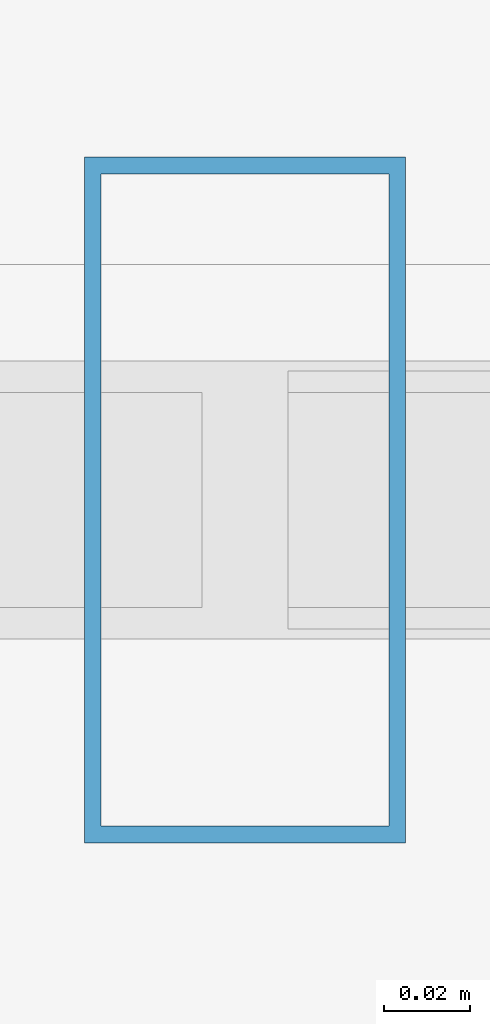
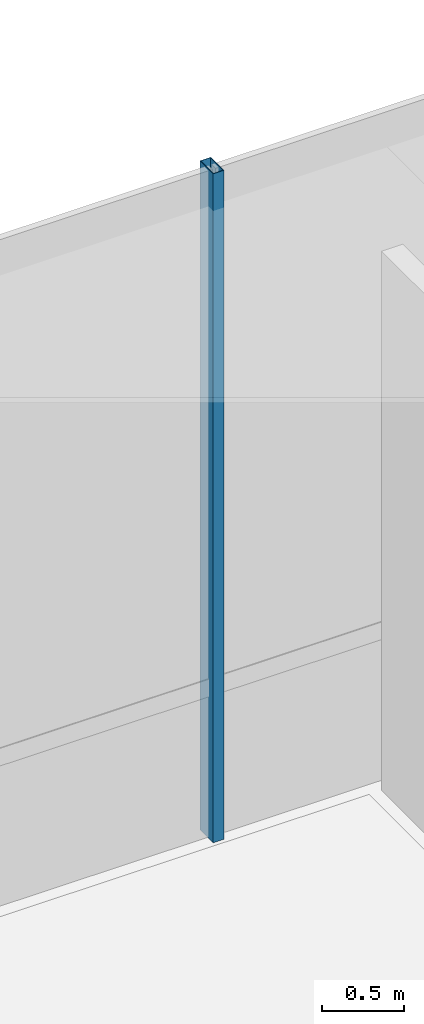
# One storey, part 16 of 41: 1 member, 1 element without a shape of its own.
"""IFC4 building model written with IfcOpenShell, lengths in metres."""

from ifc_helpers import new_model, si_unit, direction, frame, origin, origin_2d, place, context, subcontext, project, spatial, hollow_rectangle, extrude, source, transform, mapped, material, material_profile, profile_set, type_object, element, aggregate, save


model = new_model("IFC4")

# Units and contexts
model_context = context("Model", 3, precision=1e-05, world=origin(), true_north=direction((0.0, 1.0)))
body_context = subcontext(model_context, "Body", "Model", "MODEL_VIEW")
ifc_project = project(units=[si_unit("LENGTHUNIT", "METRE"), si_unit("AREAUNIT", "SQUARE_METRE"), si_unit("VOLUMEUNIT", "CUBIC_METRE"), si_unit("PLANEANGLEUNIT", "RADIAN"), si_unit("MASSUNIT", "GRAM", prefix="KILO")], contexts=[model_context])

# Site, building, storey
site_placement = place(None, origin())
site = spatial("IfcSite", under=ifc_project, at=site_placement, CompositionType="ELEMENT")
building_placement = place(site_placement, origin())
building = spatial("IfcBuilding", under=site, at=building_placement, Name="Valdorenza Pilgrim Sanctuary Tower", CompositionType="ELEMENT")
storey_placement = place(building_placement, frame((0.0, 0.0, 20.800048828125)))
storey = spatial("IfcBuildingStorey", under=building, at=storey_placement, Name="L04", CompositionType="ELEMENT", Elevation=20.800048828125)

# Curtain wall, member
ifc_material_1 = material(Name="Curtain-wall IGU glazing", Category="glass")
curtain_wall_type = type_object("IfcCurtainWallType", Name="CW-SYS-01", PredefinedType="NOTDEFINED", material=ifc_material_1)
curtain_wall_placement = place(storey_placement, origin())
curtain_wall = element("IfcCurtainWall", 1, at=curtain_wall_placement, inside=storey, type_object=curtain_wall_type, Name="L04 Curtain Wall CW-POD-L04-NN", PredefinedType="NOTDEFINED")
ifc_material_2 = material(Name="Anodised aluminium AW-6060", Category="aluminium")
ifc_material_profile = material_profile(ifc_material_2, hollow_rectangle(XDim=0.074951171875, YDim=0.159912109375, WallThickness=0.00390625, at=origin_2d()), Name="ALU-M 160x75x4")
ifc_profile_set = profile_set([ifc_material_profile], Name="Anodised aluminium AW-6060")
member_type = type_object("IfcMemberType", Name="CW-MUL-01", PredefinedType="MULLION", material=ifc_profile_set)
shared_shape = source(origin(), body_context, "Body", "SweptSolid", [
    extrude(hollow_rectangle(XDim=0.074951171875, YDim=0.159912109375, WallThickness=0.00390625, at=origin_2d()), origin(), (0.0, 0.0, 1.0), 4.9599609375),
])
member_placement = place(storey_placement, frame((0.0, 22.85009765625, 0.0), z_axis=(0.0, 0.0, 1.0), x_axis=(1.0, 0.0, 0.0)))
member = element("IfcMember", 2, at=member_placement, type_object=member_type, Name="CW-POD-L04-NN Mullion 3", PredefinedType="MULLION", context=body_context, shape_type="MappedRepresentation", body=[
    mapped(shared_shape, transform((0.0, 0.0, 0.0), x_axis=(1.0, 0.0, 0.0), y_axis=(0.0, 1.0, 0.0), z_axis=(0.0, 0.0, 1.0), scale=1.0)),
])
aggregate(curtain_wall, [member])

save(model, "model.ifc")
